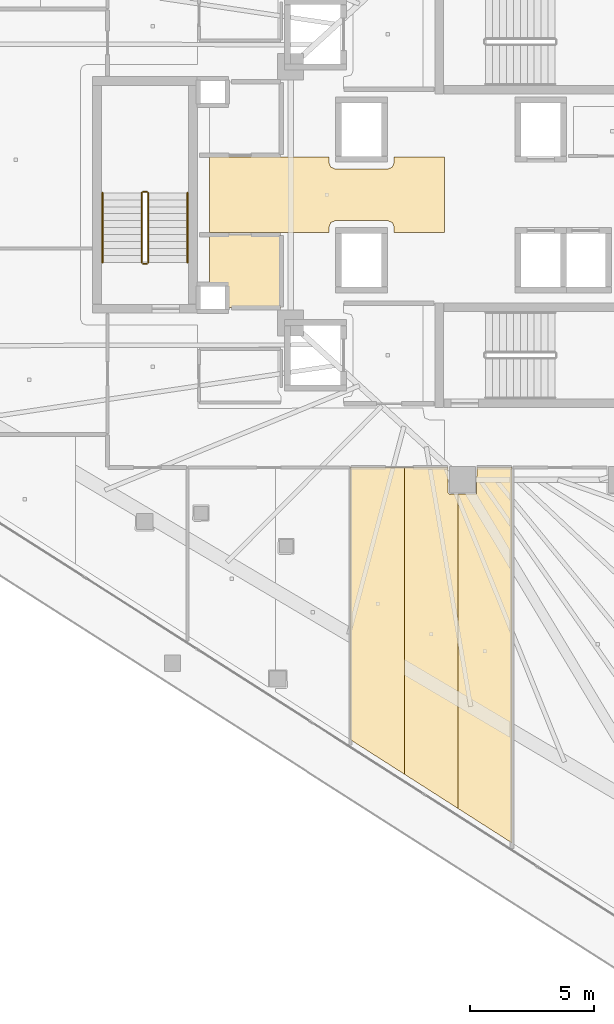
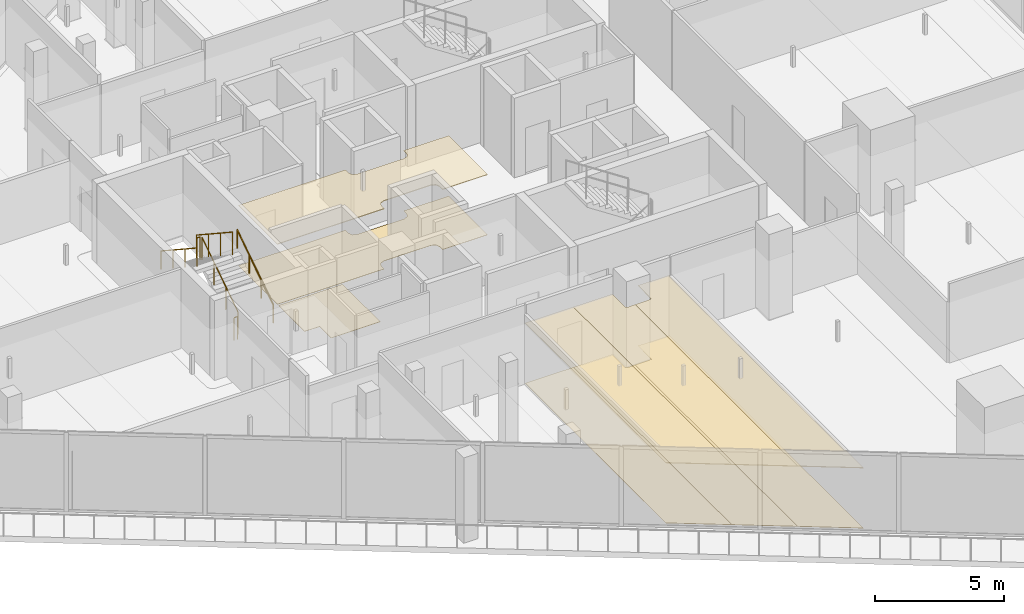
# One storey, part 32 of 38: 9 coverings, 6 railings.
"""IFC4 building model written with IfcOpenShell, lengths in metres."""

import ifcopenshell
import ifcopenshell.guid

model = None  # the IFC model being written
_history = None  # IfcOwnerHistory: only IFC2X3 demands one
_inside = {}  # id of a spatial element -> (the spatial element, [elements in it])
_under = {}  # id of a project, library or spatial element -> (it, [spatial elements below it])
_declared = {}  # id of a project -> (the project, [libraries it declares])
_typed = {}  # id of a type object -> (the type object, [elements of that type])
_made_of = {}  # id of a material, layer set ... -> (it, [elements and type objects made of it])


def new_model(schema):
    """Start an empty IFC model of exactly this schema.

    Asked for "IFC4X3", IfcOpenShell would pick the latest addendum, in which some entities
    have other attributes; the version numbers below select the first issue.
    IFC2X3 requires an IfcOwnerHistory on every rooted entity: one is made here for all.
    """
    global model, _history
    if schema == "IFC4X3":
        model = ifcopenshell.file(schema_version=(4, 3, 0, 0))
    else:
        model = ifcopenshell.file(schema=schema)
    _inside.clear()
    _under.clear()
    _declared.clear()
    _typed.clear()
    _made_of.clear()
    _history = None
    if model.schema == "IFC2X3":
        org = make("IfcOrganization", Name="unknown")
        user = make(
            "IfcPersonAndOrganization",
            ThePerson=make("IfcPerson", FamilyName="unknown"),
            TheOrganization=org,
        )
        app = make(
            "IfcApplication",
            ApplicationDeveloper=org,
            Version="unknown",
            ApplicationFullName="unknown",
            ApplicationIdentifier="unknown",
        )
        _history = make(
            "IfcOwnerHistory",
            OwningUser=user,
            OwningApplication=app,
            ChangeAction="ADDED",
            CreationDate=0,
        )
    return model


def make(cls, **values):
    """One entity of the class cls with the attributes given. An attribute that is None is left unset."""
    return model.create_entity(
        cls, **{name: value for name, value in values.items() if value is not None}
    )


def rooted(cls, **values):
    """An entity with a GlobalId (a new one), such as an element, a storey or a relation."""
    return make(cls, GlobalId=ifcopenshell.guid.new(), OwnerHistory=_history, **values)


def si_unit(unit_type, name, prefix=None):
    """IfcSIUnit, for example si_unit("LENGTHUNIT", "METRE", prefix="MILLI")."""
    return make("IfcSIUnit", UnitType=unit_type, Prefix=prefix, Name=name)


def assignment(units):
    """IfcUnitAssignment: the units of a project."""
    return None if units is None else make("IfcUnitAssignment", Units=units)


def point(xyz):
    """IfcCartesianPoint."""
    return None if xyz is None else make("IfcCartesianPoint", Coordinates=xyz)


def direction(xyz):
    """IfcDirection."""
    return None if xyz is None else make("IfcDirection", DirectionRatios=xyz)


def frame(location, z_axis=None, x_axis=None):
    """IfcAxis2Placement3D, a coordinate frame: its origin and axes. An axis left out is left unset."""
    return make(
        "IfcAxis2Placement3D",
        Location=point(location),
        Axis=direction(z_axis),
        RefDirection=direction(x_axis),
    )


def frame_2d(location, x_axis=None):
    """IfcAxis2Placement2D, a coordinate frame in the plane: its origin and x axis."""
    return make(
        "IfcAxis2Placement2D", Location=point(location), RefDirection=direction(x_axis)
    )


def origin():
    """The frame at (0, 0, 0) with its axes left unset."""
    return frame((0.0, 0.0, 0.0))


def origin_2d():
    """The frame at (0, 0) in the plane with its x axis left unset."""
    return frame_2d((0.0, 0.0))


def place(relative_to, where):
    """IfcLocalPlacement: puts the frame where relative to a parent placement (None: the world)."""
    return make(
        "IfcLocalPlacement", PlacementRelTo=relative_to, RelativePlacement=where
    )


def context(
    kind, dimensions, precision=None, world=None, true_north=None, identifier=None
):
    """IfcGeometricRepresentationContext, for example the 3D "Model" context."""
    return make(
        "IfcGeometricRepresentationContext",
        ContextIdentifier=identifier,
        ContextType=kind,
        CoordinateSpaceDimension=dimensions,
        Precision=precision,
        WorldCoordinateSystem=world,
        TrueNorth=true_north,
    )


def subcontext(parent, identifier, kind, view, scale=None):
    """IfcGeometricRepresentationSubContext, for example "Body" below "Model"."""
    return make(
        "IfcGeometricRepresentationSubContext",
        ContextIdentifier=identifier,
        ContextType=kind,
        ParentContext=parent,
        TargetScale=scale,
        TargetView=view,
    )


def project(units=None, contexts=None):
    """IfcProject with its units and contexts."""
    return rooted(
        "IfcProject",
        Name="project",
        RepresentationContexts=contexts,
        UnitsInContext=assignment(units),
    )


def spatial(cls, under=None, at=None, **own):
    """A site, building, storey or space (cls), placed at a placement, below another one or the project."""
    s = rooted(cls, ObjectPlacement=at, **own)
    if under is not None:
        _under.setdefault(under.id(), (under, []))[1].append(s)
    return s


def polyline(points):
    """IfcPolyline through the points."""
    return make("IfcPolyline", Points=[point(p) for p in points])


def profile(cls, at=None, kind="AREA", **sizes):
    """A parametric profile (cls). Its sizes go by their IFC names, for example OverallWidth=200.0."""
    return make(cls, ProfileType=kind, Position=at, **sizes)


def circle(**sizes):
    """IfcCircleProfileDef."""
    return profile("IfcCircleProfileDef", **sizes)


def outline(outer, holes=None, kind="AREA"):
    """IfcArbitraryClosedProfileDef: a profile drawn as a closed curve; with holes, ...WithVoids."""
    if holes is None:
        return make("IfcArbitraryClosedProfileDef", ProfileType=kind, OuterCurve=outer)
    return make(
        "IfcArbitraryProfileDefWithVoids",
        ProfileType=kind,
        OuterCurve=outer,
        InnerCurves=holes,
    )


def extrude(swept, where, along, depth):
    """IfcExtrudedAreaSolid: the profile swept, set in the frame where, extruded along a direction by depth."""
    return make(
        "IfcExtrudedAreaSolid",
        SweptArea=swept,
        Position=where,
        ExtrudedDirection=direction(along),
        Depth=depth,
    )


def shape(context_of_items, identifier, shape_type, items):
    """IfcShapeRepresentation: the items that make up one representation, for example the "Body"."""
    return make(
        "IfcShapeRepresentation",
        ContextOfItems=context_of_items,
        RepresentationIdentifier=identifier,
        RepresentationType=shape_type,
        Items=items,
    )


def material(Name=None, Category=None):
    """IfcMaterial."""
    return make("IfcMaterial", Name=Name, Category=Category)


def layer(
    of_material, thickness, ventilated=None, Name=None, Category=None, Priority=None
):
    """IfcMaterialLayer: one layer of a wall or slab, of a material (None: an air gap)."""
    return make(
        "IfcMaterialLayer",
        Material=of_material,
        LayerThickness=thickness,
        IsVentilated=ventilated,
        Name=Name,
        Category=Category,
        Priority=Priority,
    )


def layer_set(layers, Name=None):
    """IfcMaterialLayerSet."""
    return make("IfcMaterialLayerSet", MaterialLayers=layers, LayerSetName=Name)


def made_of(thing, what):
    """Note that an element or type object is made of a material, layer set ...; save() writes the relation."""
    if what is not None:
        _made_of.setdefault(what.id(), (what, []))[1].append(thing)
    return thing


def type_object(cls, material=None, **own):
    """A type object (cls), such as IfcWallType, which elements share."""
    return made_of(rooted(cls, **own), material)


def element(
    cls,
    number,
    at=None,
    inside=None,
    cuts=None,
    type_object=None,
    material=None,
    context=None,
    identifier="Body",
    shape_type=None,
    held_by="IfcProductDefinitionShape",
    body=None,
    shapes=None,
    **own,
):
    """One element of the class cls, such as IfcWall. Its Tag is "e" and its number.

    at: its placement. inside: the storey or other place that contains it. cuts: it is an
    opening in that element (IfcRelVoidsElement). A single representation is given by context,
    identifier, shape_type and body (its items); several are given by shapes. held_by: the class
    of the entity that holds the representations. save() writes the other relations.
    """
    e = rooted(cls, Tag="e%d" % number, ObjectPlacement=at, **own)
    if body is not None:
        shapes = [shape(context, identifier, shape_type, body)]
    if shapes is not None:
        e.Representation = make(held_by, Representations=shapes)
    if inside is not None:
        _inside.setdefault(inside.id(), (inside, []))[1].append(e)
    if cuts is not None:
        rooted(
            "IfcRelVoidsElement", RelatingBuildingElement=cuts, RelatedOpeningElement=e
        )
    if type_object is not None:
        _typed.setdefault(type_object.id(), (type_object, []))[1].append(e)
    return made_of(e, material)


def aggregate(whole, parts):
    """IfcRelAggregates: a whole, such as a stair, and the parts it consists of."""
    return rooted("IfcRelAggregates", RelatingObject=whole, RelatedObjects=parts)


def save(model, path):
    """Write the relations noted so far, then the file.

    IfcRelAggregates (storeys below a building ...), IfcRelContainedInSpatialStructure (elements
    in a storey), IfcRelDefinesByType, IfcRelAssociatesMaterial and IfcRelDeclares: one each for
    every whole, place, type object, material and project.
    """
    for whole, parts in _under.values():
        aggregate(whole, parts)
    for where, things in _inside.values():
        rooted(
            "IfcRelContainedInSpatialStructure",
            RelatedElements=things,
            RelatingStructure=where,
        )
    for kind, things in _typed.values():
        rooted("IfcRelDefinesByType", RelatedObjects=things, RelatingType=kind)
    for what, things in _made_of.values():
        rooted("IfcRelAssociatesMaterial", RelatedObjects=things, RelatingMaterial=what)
    for by, libraries in _declared.values():
        rooted("IfcRelDeclares", RelatingContext=by, RelatedDefinitions=libraries)
    model.write(path)


model = new_model("IFC4")

# Units and contexts
model_context = context("Model", 3, precision=1e-05, world=origin(), true_north=direction((0.0, 1.0)))
body_context = subcontext(model_context, "Body", "Model", "MODEL_VIEW")
ifc_project = project(units=[si_unit("LENGTHUNIT", "METRE"), si_unit("AREAUNIT", "SQUARE_METRE"), si_unit("VOLUMEUNIT", "CUBIC_METRE"), si_unit("PLANEANGLEUNIT", "RADIAN"), si_unit("MASSUNIT", "GRAM", prefix="KILO")], contexts=[model_context])

# Site, building, storey
site_placement = place(None, origin())
site = spatial("IfcSite", under=ifc_project, at=site_placement, CompositionType="ELEMENT")
building_placement = place(site_placement, origin())
building = spatial("IfcBuilding", under=site, at=building_placement, Name="Qorvath Tower", CompositionType="ELEMENT")
storey_placement = place(building_placement, frame((0.0, 0.0, 146.25)))
storey = spatial("IfcBuildingStorey", under=building, at=storey_placement, Name="L33", CompositionType="ELEMENT", Elevation=146.25)

# Coverings
ifc_material_1 = material(Name="Acoustic mineral fibre ceiling tile", Category="gypsum")
ifc_layer_1 = layer(ifc_material_1, 0.030029296875)
ifc_layer_set_1 = layer_set([ifc_layer_1], Name="COV-CEIL")
covering_type_1 = type_object("IfcCoveringType", Name="COV-CEIL", PredefinedType="CEILING", material=ifc_layer_set_1)
covering_1_placement = place(storey_placement, frame((0.0, 0.0, 2.85009765625)))
element("IfcCovering", 1, at=covering_1_placement, inside=storey, type_object=covering_type_1, Name="L33 Suspended Acoustic Ceiling 010", PredefinedType="CEILING", context=body_context, shape_type="SweptSolid", body=[
    extrude(outline(polyline([(-24.32080078125, -1.514892578125), (-24.32080078125, 1.514892578125), (-26.340087890625, 1.514892578125), (-26.340087890625, 1.2900390625), (-26.413330078125, 1.11328125), (-26.590087890625, 1.0400390625), (-28.7099609375, 1.0400390625), (-28.88671875, 1.11328125), (-28.9599609375, 1.2900390625), (-28.9599609375, 1.514892578125), (-33.760009765625, 1.514892578125), (-33.760009765625, -1.514892578125), (-28.9599609375, -1.514892578125), (-28.9599609375, -1.2900390625), (-28.88671875, -1.11328125), (-28.7099609375, -1.0400390625), (-26.590087890625, -1.0400390625), (-26.413330078125, -1.11328125), (-26.340087890625, -1.2900390625), (-26.340087890625, -1.514892578125), (-24.32080078125, -1.514892578125)])), origin(), (0.0, 0.0, 1.0), 0.030029296875),
])
covering_2_placement = place(storey_placement, frame((0.0, 0.0, 2.85009765625)))
element("IfcCovering", 2, at=covering_2_placement, inside=storey, type_object=covering_type_1, Name="L33 Suspended Acoustic Ceiling 023", PredefinedType="CEILING", context=body_context, shape_type="SweptSolid", body=[
    extrude(outline(polyline([(-25.9296875, -23.285400390625), (-25.9296875, -10.962890625), (-28.0888671875, -10.962890625), (-28.0888671875, -21.905517578125), (-25.9296875, -23.285400390625)])), origin(), (0.0, 0.0, 1.0), 0.030029296875),
])
covering_3_placement = place(storey_placement, frame((0.0, 0.0, 2.85009765625)))
element("IfcCovering", 3, at=covering_3_placement, inside=storey, type_object=covering_type_1, Name="L33 Suspended Acoustic Ceiling 024", PredefinedType="CEILING", context=body_context, shape_type="SweptSolid", body=[
    extrude(outline(polyline([(-23.7705078125, -24.665283203125), (-23.7705078125, -12.029296875), (-24.125, -12.034912109375), (-24.18505859375, -11.97509765625), (-24.18505859375, -10.962890625), (-25.9296875, -10.962890625), (-25.9296875, -23.285400390625), (-23.7705078125, -24.665283203125)])), origin(), (0.0, 0.0, 1.0), 0.030029296875),
])
covering_4_placement = place(storey_placement, frame((0.0, 0.0, 2.85009765625)))
element("IfcCovering", 4, at=covering_4_placement, inside=storey, type_object=covering_type_1, Name="L33 Suspended Acoustic Ceiling 025", PredefinedType="CEILING", context=body_context, shape_type="SweptSolid", body=[
    extrude(outline(polyline([(-21.611328125, -26.04541015625), (-21.611328125, -10.962890625), (-23.014892578125, -10.962890625), (-23.032470703125, -12.017333984375), (-23.7705078125, -12.029296875), (-23.7705078125, -24.665283203125), (-21.611328125, -26.04541015625)])), origin(), (0.0, 0.0, 1.0), 0.030029296875),
])
ifc_material_2 = material(Name="Low-VOC modular carpet tile", Category="textile")
ifc_layer_2 = layer(ifc_material_2, 0.014892578125)
ifc_layer_set_2 = layer_set([ifc_layer_2], Name="COV-FLOOR-CPT")
covering_type_2 = type_object("IfcCoveringType", Name="COV-FLOOR-CPT", PredefinedType="FLOORING", material=ifc_layer_set_2)
covering_5_placement = place(storey_placement, origin())
element("IfcCovering", 5, at=covering_5_placement, inside=storey, type_object=covering_type_2, Name="L33 Floor Finish 007", PredefinedType="FLOORING", context=body_context, shape_type="SweptSolid", body=[
    extrude(outline(polyline([(-30.885009765625, -4.534912109375), (-30.885009765625, -1.60498046875), (-33.760009765625, -1.60498046875), (-33.760009765625, -3.636962890625), (-33.08837890625, -3.638427734375), (-33.0869140625, -4.534912109375), (-30.885009765625, -4.534912109375)])), origin(), (0.0, 0.0, 1.0), 0.014892578125),
])
covering_6_placement = place(storey_placement, origin())
element("IfcCovering", 6, at=covering_6_placement, inside=storey, type_object=covering_type_2, Name="L33 Floor Finish 023", PredefinedType="FLOORING", context=body_context, shape_type="SweptSolid", body=[
    extrude(outline(polyline([(-25.9296875, -23.285400390625), (-25.9296875, -10.962890625), (-28.0888671875, -10.962890625), (-28.0888671875, -21.905517578125), (-25.9296875, -23.285400390625)])), origin(), (0.0, 0.0, 1.0), 0.014892578125),
])
covering_7_placement = place(storey_placement, origin())
element("IfcCovering", 7, at=covering_7_placement, inside=storey, type_object=covering_type_2, Name="L33 Floor Finish 024", PredefinedType="FLOORING", context=body_context, shape_type="SweptSolid", body=[
    extrude(outline(polyline([(-23.7705078125, -24.665283203125), (-23.7705078125, -12.029296875), (-24.125, -12.034912109375), (-24.18505859375, -11.97509765625), (-24.18505859375, -10.962890625), (-25.9296875, -10.962890625), (-25.9296875, -23.285400390625), (-23.7705078125, -24.665283203125)])), origin(), (0.0, 0.0, 1.0), 0.014892578125),
])
covering_8_placement = place(storey_placement, origin())
element("IfcCovering", 8, at=covering_8_placement, inside=storey, type_object=covering_type_2, Name="L33 Floor Finish 025", PredefinedType="FLOORING", context=body_context, shape_type="SweptSolid", body=[
    extrude(outline(polyline([(-21.611328125, -26.04541015625), (-21.611328125, -10.962890625), (-23.014892578125, -10.962890625), (-23.032470703125, -12.017333984375), (-23.7705078125, -12.029296875), (-23.7705078125, -24.665283203125), (-21.611328125, -26.04541015625)])), origin(), (0.0, 0.0, 1.0), 0.014892578125),
])
ifc_material_3 = material(Name="Polished epoxy terrazzo flooring", Category="concrete")
ifc_layer_3 = layer(ifc_material_3, 0.02001953125)
ifc_layer_set_3 = layer_set([ifc_layer_3], Name="COV-FLOOR-TRZ")
covering_type_3 = type_object("IfcCoveringType", Name="COV-FLOOR-TRZ", PredefinedType="FLOORING", material=ifc_layer_set_3)
covering_9_placement = place(storey_placement, origin())
element("IfcCovering", 9, at=covering_9_placement, inside=storey, type_object=covering_type_3, Name="L33 Floor Finish 010", PredefinedType="FLOORING", context=body_context, shape_type="SweptSolid", body=[
    extrude(outline(polyline([(-24.32080078125, -1.514892578125), (-24.32080078125, 1.514892578125), (-26.340087890625, 1.514892578125), (-26.340087890625, 1.2900390625), (-26.413330078125, 1.11328125), (-26.590087890625, 1.0400390625), (-28.7099609375, 1.0400390625), (-28.88671875, 1.11328125), (-28.9599609375, 1.2900390625), (-28.9599609375, 1.514892578125), (-33.760009765625, 1.514892578125), (-33.760009765625, -1.514892578125), (-28.9599609375, -1.514892578125), (-28.9599609375, -1.2900390625), (-28.88671875, -1.11328125), (-28.7099609375, -1.0400390625), (-26.590087890625, -1.0400390625), (-26.413330078125, -1.11328125), (-26.340087890625, -1.2900390625), (-26.340087890625, -1.514892578125), (-24.32080078125, -1.514892578125)])), origin(), (0.0, 0.0, 1.0), 0.014892578125),
])

# Railings
ifc_material_4 = material(Name="Painted galvanised steel", Category="steel")
railing_type_1 = type_object("IfcRailingType", Name="RL-STR-GRD", PredefinedType="GUARDRAIL", material=ifc_material_4)
railing_1_placement = place(storey_placement, frame((-36.22998046875, -2.719970703125, 0.18408203125)))
element("IfcRailing", 10, at=railing_1_placement, inside=storey, type_object=railing_type_1, Name="L33 TS3 stair guard 1", PredefinedType="GUARDRAIL", context=body_context, shape_type="SweptSolid", body=[
    extrude(circle(Radius=0.02392578125, at=origin_2d()), frame((0.0, 0.0, 1.076171875), z_axis=(0.0, 0.835597507184, 0.549342157483), x_axis=(-1.0, 0.0, 0.0)), (0.0, 0.0, 1.0), 3.35107421875),
    extrude(circle(Radius=0.02099609375, at=origin_2d()), origin(), (0.0, 0.0, 1.0), 1.052001953125),
    extrude(circle(Radius=0.02099609375, at=origin_2d()), frame((0.0, 0.933349609375, 0.613525390625)), (0.0, 0.0, 1.0), 1.052001953125),
    extrude(circle(Radius=0.02099609375, at=origin_2d()), frame((0.0, 1.86669921875, 1.227294921875)), (0.0, 0.0, 1.0), 1.052001953125),
    extrude(circle(Radius=0.02099609375, at=origin_2d()), frame((0.0, 2.800048828125, 1.8408203125)), (0.0, 0.0, 1.0), 1.052001953125),
])
railing_2_placement = place(storey_placement, frame((-36.280029296875, 0.1298828125, 2.02490234375)))
element("IfcRailing", 11, at=railing_2_placement, inside=storey, type_object=railing_type_1, Name="L33 TS3 stair guard 2", PredefinedType="GUARDRAIL", context=body_context, shape_type="SweptSolid", body=[
    extrude(circle(Radius=0.02392578125, at=origin_2d()), frame((0.0, 0.0, 1.076171875), z_axis=(-1.0, 0.0, 0.0), x_axis=(0.0, -1.0, 0.0)), (0.0, 0.0, 1.0), 0.14990234375),
    extrude(circle(Radius=0.02099609375, at=origin_2d()), origin(), (0.0, 0.0, 1.0), 1.052001953125),
    extrude(circle(Radius=0.02099609375, at=origin_2d()), frame((-0.14990234375, 0.0, 0.0)), (0.0, 0.0, 1.0), 1.052001953125),
])
railing_3_placement = place(storey_placement, frame((-36.47998046875, 0.080078125, 2.208984375)))
element("IfcRailing", 12, at=railing_3_placement, inside=storey, type_object=railing_type_1, Name="L33 TS3 stair guard 3", PredefinedType="GUARDRAIL", context=body_context, shape_type="SweptSolid", body=[
    extrude(circle(Radius=0.02392578125, at=origin_2d()), frame((0.0, 0.0, 1.076171875), z_axis=(0.0, -0.83556406348, 0.549393024911), x_axis=(1.0, 0.0, 0.0)), (0.0, 0.0, 1.0), 3.35107421875),
    extrude(circle(Radius=0.02099609375, at=origin_2d()), origin(), (0.0, 0.0, 1.0), 1.052001953125),
    extrude(circle(Radius=0.02099609375, at=origin_2d()), frame((0.0, -0.933349609375, 0.61376953125)), (0.0, 0.0, 1.0), 1.052001953125),
    extrude(circle(Radius=0.02099609375, at=origin_2d()), frame((0.0, -1.86669921875, 1.227294921875)), (0.0, 0.0, 1.0), 1.052001953125),
    extrude(circle(Radius=0.02099609375, at=origin_2d()), frame((0.0, -2.800048828125, 1.841064453125)), (0.0, 0.0, 1.0), 1.052001953125),
])
railing_4_placement = place(storey_placement, frame((-36.280029296875, -2.77001953125, 0.0)))
element("IfcRailing", 13, at=railing_4_placement, inside=storey, type_object=railing_type_1, Name="L33 TS3 stair guard 4", PredefinedType="GUARDRAIL", context=body_context, shape_type="SweptSolid", body=[
    extrude(circle(Radius=0.02392578125, at=origin_2d()), frame((0.0, 0.0, 1.076171875), z_axis=(-1.0, 0.0, 0.0), x_axis=(0.0, -1.0, 0.0)), (0.0, 0.0, 1.0), 0.14990234375),
    extrude(circle(Radius=0.02099609375, at=origin_2d()), origin(), (0.0, 0.0, 1.0), 1.052001953125),
    extrude(circle(Radius=0.02099609375, at=origin_2d()), frame((-0.14990234375, 0.0, 0.0)), (0.0, 0.0, 1.0), 1.052001953125),
])
ifc_material_5 = material(Name="Brushed stainless steel AISI 304", Category="steel")
railing_type_2 = type_object("IfcRailingType", Name="RL-STR-HND", PredefinedType="HANDRAIL", material=ifc_material_5)
railing_5_placement = place(storey_placement, frame((-34.64990234375, -2.719970703125, 0.18408203125)))
element("IfcRailing", 14, at=railing_5_placement, inside=storey, type_object=railing_type_2, Name="L33 TS3 stair handrail 1", PredefinedType="HANDRAIL", context=body_context, shape_type="SweptSolid", body=[
    extrude(circle(Radius=0.02392578125, at=origin_2d()), frame((0.0, 0.0, 0.8759765625), z_axis=(0.0, 0.835597507184, 0.549342157483), x_axis=(-1.0, 0.0, 0.0)), (0.0, 0.0, 1.0), 3.35107421875),
    extrude(circle(Radius=0.02099609375, at=origin_2d()), origin(), (0.0, 0.0, 1.0), 0.851806640625),
    extrude(circle(Radius=0.02099609375, at=origin_2d()), frame((0.0, 0.933349609375, 0.613525390625)), (0.0, 0.0, 1.0), 0.851806640625),
    extrude(circle(Radius=0.02099609375, at=origin_2d()), frame((0.0, 1.86669921875, 1.227294921875)), (0.0, 0.0, 1.0), 0.851806640625),
    extrude(circle(Radius=0.02099609375, at=origin_2d()), frame((0.0, 2.800048828125, 1.8408203125)), (0.0, 0.0, 1.0), 0.851806640625),
])
railing_6_placement = place(storey_placement, frame((-38.06005859375, 0.080078125, 2.208984375)))
element("IfcRailing", 15, at=railing_6_placement, inside=storey, type_object=railing_type_2, Name="L33 TS3 stair handrail 2", PredefinedType="HANDRAIL", context=body_context, shape_type="SweptSolid", body=[
    extrude(circle(Radius=0.02392578125, at=origin_2d()), frame((0.0, 0.0, 0.8759765625), z_axis=(0.0, -0.83556406348, 0.549393024911), x_axis=(1.0, 0.0, 0.0)), (0.0, 0.0, 1.0), 3.35107421875),
    extrude(circle(Radius=0.02099609375, at=origin_2d()), origin(), (0.0, 0.0, 1.0), 0.851806640625),
    extrude(circle(Radius=0.02099609375, at=origin_2d()), frame((0.0, -0.933349609375, 0.61376953125)), (0.0, 0.0, 1.0), 0.851806640625),
    extrude(circle(Radius=0.02099609375, at=origin_2d()), frame((0.0, -1.86669921875, 1.227294921875)), (0.0, 0.0, 1.0), 0.851806640625),
    extrude(circle(Radius=0.02099609375, at=origin_2d()), frame((0.0, -2.800048828125, 1.841064453125)), (0.0, 0.0, 1.0), 0.851806640625),
])

save(model, "model.ifc")
